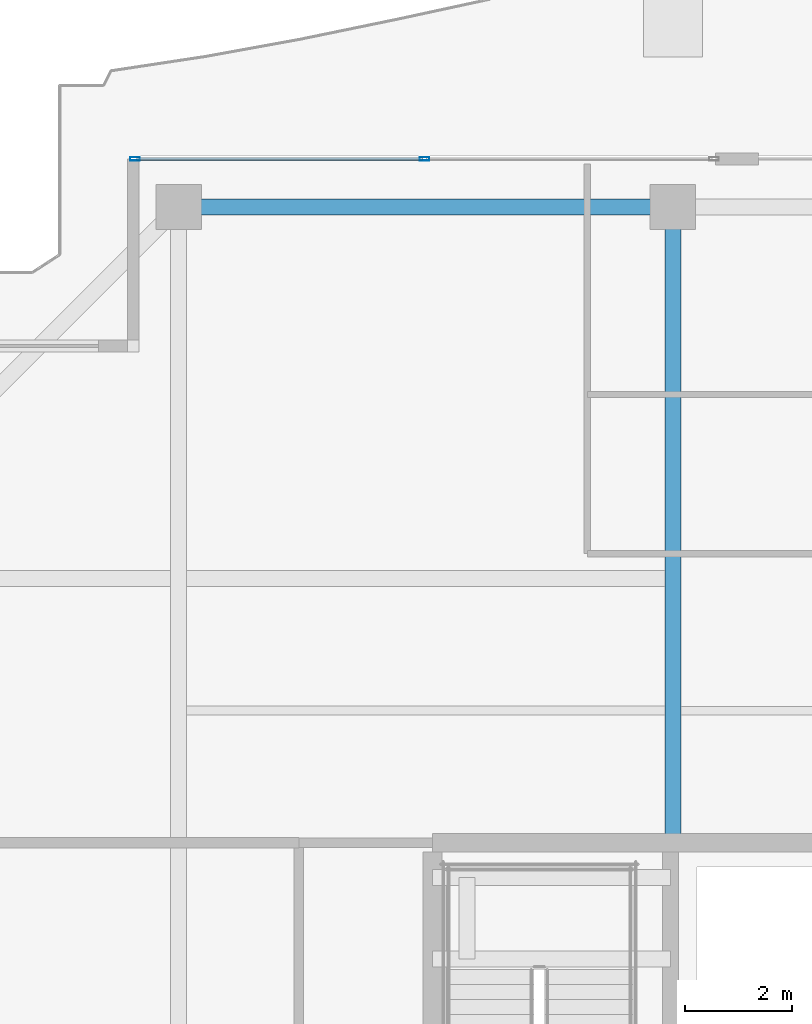
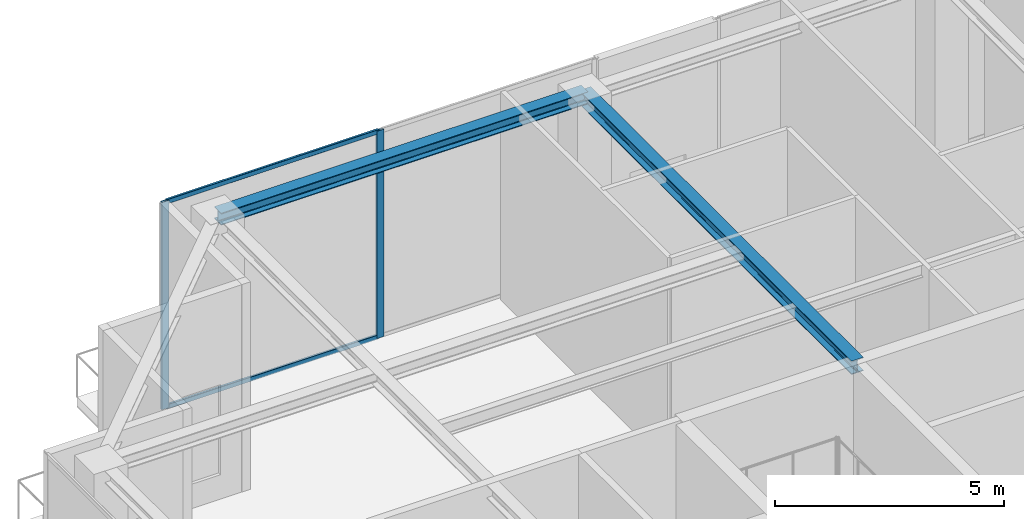
# One storey, part 19 of 38: 4 members, 2 beams, 1 element without a shape of its own.
"""IFC4 building model written with IfcOpenShell, lengths in metres."""

from ifc_helpers import new_model, si_unit, direction, frame, origin, origin_2d, place, context, subcontext, project, spatial, hollow_rectangle, i_section, extrude, source, transform, mapped, material, layer, layer_set, material_profile, profile_set, type_object, element, aggregate, save


model = new_model("IFC4")

# Units and contexts
model_context = context("Model", 3, precision=1e-05, world=origin(), true_north=direction((0.0, 1.0)))
body_context = subcontext(model_context, "Body", "Model", "MODEL_VIEW")
ifc_project = project(units=[si_unit("LENGTHUNIT", "METRE"), si_unit("AREAUNIT", "SQUARE_METRE"), si_unit("VOLUMEUNIT", "CUBIC_METRE"), si_unit("PLANEANGLEUNIT", "RADIAN"), si_unit("MASSUNIT", "GRAM", prefix="KILO")], contexts=[model_context])

# Site, building, storey
site_placement = place(None, origin())
site = spatial("IfcSite", under=ifc_project, at=site_placement, CompositionType="ELEMENT")
building_placement = place(site_placement, origin())
building = spatial("IfcBuilding", under=site, at=building_placement, Name="Serunith Strait Residences", CompositionType="ELEMENT")
storey_placement = place(building_placement, frame((0.0, 0.0, 353.85009765625)))
storey = spatial("IfcBuildingStorey", under=building, at=storey_placement, Name="L87", CompositionType="ELEMENT", Elevation=353.85009765625)

# Beams
ifc_material_1 = material(Name="Steel S355J2", Category="steel")
ifc_material_profile_1 = material_profile(ifc_material_1, i_section(OverallWidth=0.300048828125, OverallDepth=0.360107421875, WebThickness=0.012451171875, FlangeThickness=0.0224609375, FilletRadius=0.027099609375, at=origin_2d()), Name="HEB 360")
ifc_profile_set_1 = profile_set([ifc_material_profile_1], Name="Steel S355J2")
beam_type_1 = type_object("IfcBeamType", Name="BM-HEB360", PredefinedType="BEAM", material=ifc_profile_set_1)
shared_shape_1 = source(origin(), body_context, "Body", "SweptSolid", [
    extrude(i_section(OverallWidth=0.300048828125, OverallDepth=0.360107421875, WebThickness=0.012451171875, FlangeThickness=0.0224609375, FilletRadius=0.027099609375, at=origin_2d()), origin(), (0.0, 0.0, 1.0), 11.89990234375),
])
beam_1_placement = place(storey_placement, frame((27.89990234375, 33.60009765625, 5.35693359375), z_axis=(0.0, 1.0, 0.0), x_axis=(-1.0, 0.0, 0.0)))
element("IfcBeam", 1, at=beam_1_placement, inside=storey, type_object=beam_type_1, Name="L87 Primary Floor Girder TC-N2", PredefinedType="BEAM", context=body_context, shape_type="MappedRepresentation", body=[
    mapped(shared_shape_1, transform((0.0, 0.0, 0.0), scale=1.0)),
])
ifc_material_profile_2 = material_profile(ifc_material_1, i_section(OverallWidth=0.300048828125, OverallDepth=0.320068359375, WebThickness=0.011474609375, FlangeThickness=0.0205078125, FilletRadius=0.027099609375, at=origin_2d()), Name="HEB 320")
ifc_profile_set_2 = profile_set([ifc_material_profile_2], Name="Steel S355J2")
beam_type_2 = type_object("IfcBeamType", Name="BM-HEB320", PredefinedType="BEAM", material=ifc_profile_set_2)
shared_shape_2 = source(origin(), body_context, "Body", "SweptSolid", [
    extrude(i_section(OverallWidth=0.300048828125, OverallDepth=0.320068359375, WebThickness=0.011474609375, FlangeThickness=0.0205078125, FilletRadius=0.027099609375, at=origin_2d()), origin(), (0.0, 0.0, 1.0), 9.25),
])
beam_2_placement = place(storey_placement, frame((27.89990234375, 45.5, 5.376953125), z_axis=(-1.0, 0.0, 0.0), x_axis=(0.0, -1.0, 0.0)))
element("IfcBeam", 2, at=beam_2_placement, inside=storey, type_object=beam_type_2, Name="L87 Perimeter Ring Beam 11", PredefinedType="BEAM", context=body_context, shape_type="MappedRepresentation", body=[
    mapped(shared_shape_2, transform((0.0, 0.0, 0.0), scale=1.0)),
])

# Curtain wall, members
ifc_material_2 = material(Name="Brushed Stainless-Silver Aluminium", Category="aluminium")
ifc_layer = layer(ifc_material_2, 0.199951171875, Name="Brushed Stainless-Silver Aluminium")
ifc_layer_set = layer_set([ifc_layer], Name="Brushed Stainless-Silver Aluminium")
curtain_wall_type = type_object("IfcCurtainWallType", Name="CW-SYS5", PredefinedType="NOTDEFINED", material=ifc_layer_set)
curtain_wall_placement = place(storey_placement, origin())
curtain_wall = element("IfcCurtainWall", 3, at=curtain_wall_placement, inside=storey, type_object=curtain_wall_type, Name="L87 N Unitised Fritted Curtain Wall", PredefinedType="NOTDEFINED")
ifc_material_profile_3 = material_profile(ifc_material_2, hollow_rectangle(XDim=0.06005859375, YDim=0.1201171875, WallThickness=0.00341796875, InnerFilletRadius=0.00537109375, OuterFilletRadius=0.0087890625, at=origin_2d()), Name="ALU 120x60x3.5")
ifc_profile_set_3 = profile_set([ifc_material_profile_3], Name="Brushed Stainless-Silver Aluminium")
member_type_1 = type_object("IfcMemberType", Name="CW-SYS5-TRAN", PredefinedType="USERDEFINED", material=ifc_profile_set_3)
shared_shape_3 = source(origin(), body_context, "Body", "SweptSolid", [
    extrude(hollow_rectangle(XDim=0.06005859375, YDim=0.1201171875, WallThickness=0.00341796875, InnerFilletRadius=0.00537109375, OuterFilletRadius=0.0087890625, at=origin_2d()), origin(), (0.0, 0.0, 1.0), 5.3525390625),
])
member_1_placement = place(storey_placement, frame((23.217529296875, 46.39990234375, 0.02978515625), z_axis=(-1.0, 0.0, 0.0), x_axis=(0.0, -1.0, 0.0)))
member_1 = element("IfcMember", 4, at=member_1_placement, type_object=member_type_1, Name="CW-5 transom 2.1", ObjectType="TRANSOM", PredefinedType="USERDEFINED", context=body_context, shape_type="MappedRepresentation", body=[
    mapped(shared_shape_3, transform((0.0, 0.0, 0.0), scale=1.0)),
])
member_2_placement = place(storey_placement, frame((23.217529296875, 46.39990234375, 5.494873046875), z_axis=(-1.0, 0.0, 0.0), x_axis=(0.0, -1.0, 0.0)))
member_2 = element("IfcMember", 5, at=member_2_placement, type_object=member_type_1, Name="CW-5 transom 2.2", ObjectType="TRANSOM", PredefinedType="USERDEFINED", context=body_context, shape_type="MappedRepresentation", body=[
    mapped(shared_shape_3, transform((0.0, 0.0, 0.0), scale=1.0)),
])
ifc_material_profile_4 = material_profile(ifc_material_2, hollow_rectangle(XDim=0.06494140625, YDim=0.179931640625, WallThickness=0.00341796875, InnerFilletRadius=0.00537109375, OuterFilletRadius=0.0087890625, at=origin_2d()), Name="ALU 180x65x3.5")
ifc_profile_set_4 = profile_set([ifc_material_profile_4], Name="Brushed Stainless-Silver Aluminium")
member_type_2 = type_object("IfcMemberType", Name="CW-SYS5-MULL", PredefinedType="MULLION", material=ifc_profile_set_4)
shared_shape_4 = source(origin(), body_context, "Body", "SweptSolid", [
    extrude(hollow_rectangle(XDim=0.06494140625, YDim=0.179931640625, WallThickness=0.00341796875, InnerFilletRadius=0.00537109375, OuterFilletRadius=0.0087890625, at=origin_2d()), origin(), (0.0, 0.0, 1.0), 5.52490234375),
])
member_3_placement = place(storey_placement, frame((23.25, 46.39990234375, 0.0), z_axis=(0.0, 0.0, 1.0), x_axis=(0.0, -1.0, 0.0)))
member_3 = element("IfcMember", 6, at=member_3_placement, type_object=member_type_2, Name="CW-5 mullion 2", PredefinedType="MULLION", context=body_context, shape_type="MappedRepresentation", body=[
    mapped(shared_shape_4, transform((0.0, 0.0, 0.0), scale=1.0)),
])
member_4_placement = place(storey_placement, frame((17.83251953125, 46.39990234375, 0.0), z_axis=(0.0, 0.0, 1.0), x_axis=(0.0, -1.0, 0.0)))
member_4 = element("IfcMember", 7, at=member_4_placement, type_object=member_type_2, Name="CW-5 mullion 3", PredefinedType="MULLION", context=body_context, shape_type="MappedRepresentation", body=[
    mapped(shared_shape_4, transform((0.0, 0.0, 0.0), scale=1.0)),
])
aggregate(curtain_wall, [member_3, member_4, member_1, member_2])

save(model, "model.ifc")
